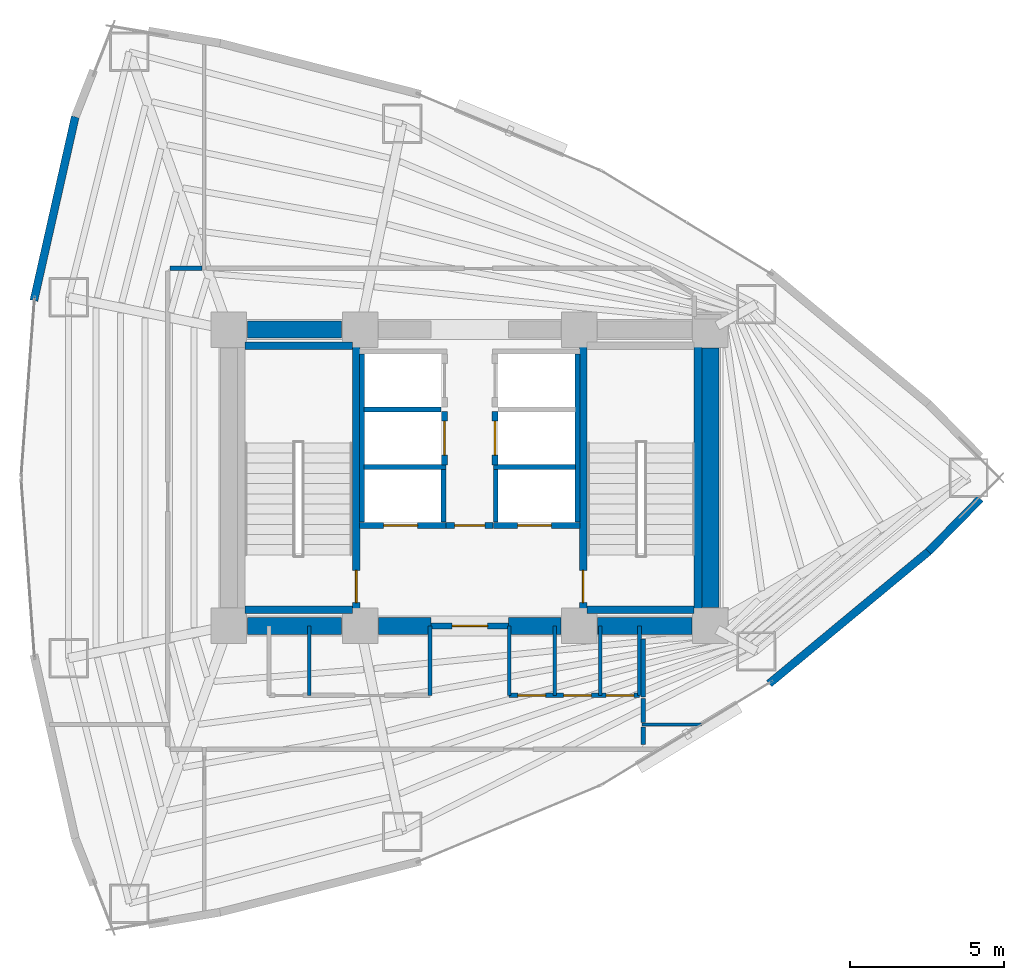
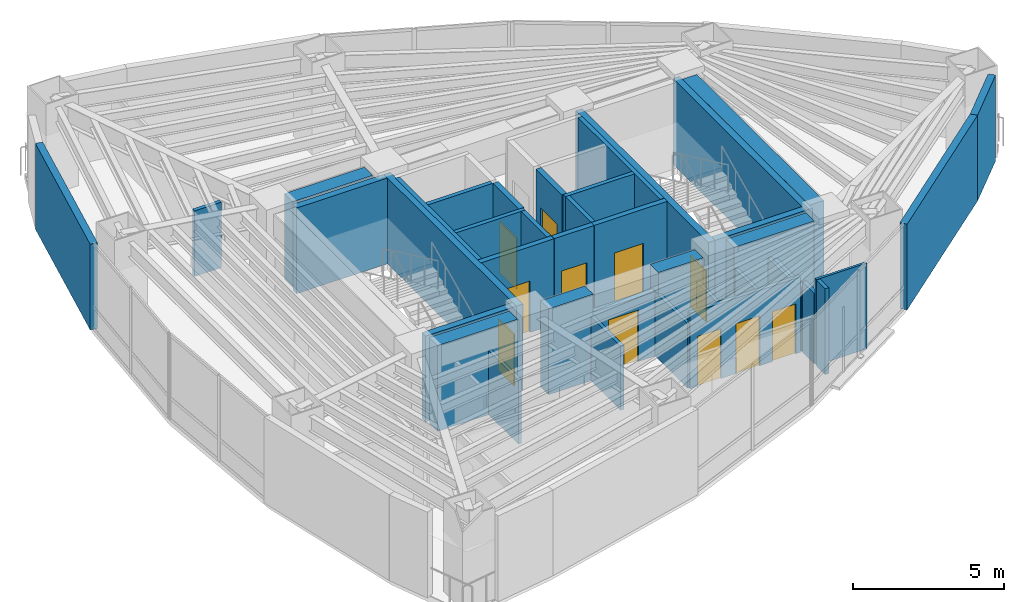
# One storey, part 15 of 18: 40 walls, 11 doors, 11 openings.
"""IFC4 building model written with IfcOpenShell, lengths in metres."""

from ifc_helpers import new_model, si_unit, direction, frame, frame_2d, origin, place, context, subcontext, project, spatial, rectangle, extrude, material, layer, layer_set, type_object, element, fill, save


model = new_model("IFC4")

# Units and contexts
model_context = context("Model", 3, precision=1e-05, world=origin(), true_north=direction((0.0, 1.0)))
body_context = subcontext(model_context, "Body", "Model", "MODEL_VIEW")
ifc_project = project(units=[si_unit("LENGTHUNIT", "METRE"), si_unit("AREAUNIT", "SQUARE_METRE"), si_unit("VOLUMEUNIT", "CUBIC_METRE"), si_unit("PLANEANGLEUNIT", "RADIAN"), si_unit("MASSUNIT", "GRAM", prefix="KILO")], contexts=[model_context])

# Site, building, storey
site_placement = place(None, origin())
site = spatial("IfcSite", under=ifc_project, at=site_placement, CompositionType="ELEMENT")
building_placement = place(site_placement, origin())
building = spatial("IfcBuilding", under=site, at=building_placement, Name="Menara Vayukalpa", CompositionType="ELEMENT")
storey_placement = place(building_placement, frame((0.0, 0.0, 96.5400390625)))
storey = spatial("IfcBuildingStorey", under=building, at=storey_placement, Name="L23", CompositionType="ELEMENT", Elevation=96.5400390625)

# Walls
ifc_material_1 = material(Name="Concrete C60/75", Category="concrete")
ifc_layer_1 = layer(ifc_material_1, 0.550048828125)
ifc_layer_set_1 = layer_set([ifc_layer_1], Name="Concrete C60/75")
wall_type_1 = type_object("IfcWallType", Name="WAL-CW550", PredefinedType="SHEAR", material=ifc_layer_set_1)
wall_1_placement = place(storey_placement, frame((18.39501953125, 17.199951171875, 0.0), z_axis=(0.0, 0.0, 1.0), x_axis=(1.0, 0.0, 0.0)))
element("IfcWall", 1, at=wall_1_placement, inside=storey, type_object=wall_type_1, Name="L23 Buttressed Core Shear Wall CWS1", PredefinedType="SHEAR", context=body_context, shape_type="SweptSolid", body=[
    extrude(rectangle(XDim=3.06005859375, YDim=0.550048828125, at=frame_2d((1.530029296875, 0.0))), origin(), (0.0, 0.0, 1.0), 3.469970703125),
])
wall_2_placement = place(storey_placement, frame((22.64501953125, 17.199951171875, 0.0), z_axis=(0.0, 0.0, 1.0), x_axis=(1.0, 0.0, 0.0)))
element("IfcWall", 2, at=wall_2_placement, inside=storey, type_object=wall_type_1, Name="L23 Buttressed Core Shear Wall CWS2", PredefinedType="SHEAR", context=body_context, shape_type="SweptSolid", body=[
    extrude(rectangle(XDim=1.705078125, YDim=0.550048828125, at=frame_2d((0.8525390625, 0.0))), origin(), (0.0, 0.0, 1.0), 3.469970703125),
])
wall_3_placement = place(storey_placement, frame((26.85009765625, 17.199951171875, 0.0), z_axis=(0.0, 0.0, 1.0), x_axis=(1.0, 0.0, 0.0)))
element("IfcWall", 3, at=wall_3_placement, inside=storey, type_object=wall_type_1, Name="L23 Buttressed Core Shear Wall CWS3", PredefinedType="SHEAR", context=body_context, shape_type="SweptSolid", body=[
    extrude(rectangle(XDim=1.704833984375, YDim=0.550048828125, at=frame_2d((0.8525390625, 0.0))), origin(), (0.0, 0.0, 1.0), 3.469970703125),
])
wall_4_placement = place(storey_placement, frame((29.7451171875, 17.199951171875, 0.0), z_axis=(0.0, 0.0, 1.0), x_axis=(1.0, 0.0, 0.0)))
element("IfcWall", 4, at=wall_4_placement, inside=storey, type_object=wall_type_1, Name="L23 Buttressed Core Shear Wall CWS4", PredefinedType="SHEAR", context=body_context, shape_type="SweptSolid", body=[
    extrude(rectangle(XDim=3.059814453125, YDim=0.550048828125, at=frame_2d((1.52978515625, 0.0))), origin(), (0.0, 0.0, 1.0), 3.469970703125),
])
wall_5_placement = place(storey_placement, frame((18.39501953125, 26.800048828125, 0.0), z_axis=(0.0, 0.0, 1.0), x_axis=(1.0, 0.0, 0.0)))
element("IfcWall", 5, at=wall_5_placement, inside=storey, type_object=wall_type_1, Name="L23 Buttressed Core Shear Wall CWN1", PredefinedType="SHEAR", context=body_context, shape_type="SweptSolid", body=[
    extrude(rectangle(XDim=3.06005859375, YDim=0.550048828125, at=frame_2d((1.530029296875, 0.0))), origin(), (0.0, 0.0, 1.0), 3.469970703125),
])
wall_6_placement = place(storey_placement, frame((33.39990234375, 17.794921875, 0.0), z_axis=(0.0, 0.0, 1.0), x_axis=(0.0, 1.0, 0.0)))
element("IfcWall", 6, at=wall_6_placement, inside=storey, type_object=wall_type_1, Name="L23 Buttressed Core Shear Wall CWE1", PredefinedType="SHEAR", context=body_context, shape_type="SweptSolid", body=[
    extrude(rectangle(XDim=8.41015625, YDim=0.550048828125, at=frame_2d((4.205078125, 0.0))), origin(), (0.0, 0.0, 1.0), 3.469970703125),
])
ifc_material_2 = material(Name="Insulated Precast Concrete C40/50", Category="concrete")
ifc_layer_2 = layer(ifc_material_2, 0.260009765625)
ifc_layer_set_2 = layer_set([ifc_layer_2], Name="Insulated Precast Concrete C40/50")
wall_type_2 = type_object("IfcWallType", Name="WAL-EXT260", PredefinedType="PARTITIONING", material=ifc_layer_set_2)
wall_7_placement = place(storey_placement, frame((42.14111328125, 21.316650390625, 0.0), z_axis=(0.0, 0.0, 1.0), x_axis=(-0.700603293449, -0.713550996922, 0.0)))
element("IfcWall", 7, at=wall_7_placement, inside=storey, type_object=wall_type_2, Name="L23 Perimeter Terracotta Pier Wall 01", PredefinedType="PARTITIONING", context=body_context, shape_type="SweptSolid", body=[
    extrude(rectangle(XDim=2.394775390625, YDim=0.260009765625, at=frame_2d((1.197265625, 0.0))), origin(), (0.0, 0.0, 1.0), 3.469970703125),
])
wall_8_placement = place(storey_placement, frame((11.482421875, 27.73828125, 0.0), z_axis=(0.0, 0.0, 1.0), x_axis=(0.219535044336, 0.975604614743, 0.0)))
element("IfcWall", 8, at=wall_8_placement, inside=storey, type_object=wall_type_2, Name="L23 Perimeter Terracotta Pier Wall 09", PredefinedType="PARTITIONING", context=body_context, shape_type="SweptSolid", body=[
    extrude(rectangle(XDim=6.10205078125, YDim=0.260009765625, at=frame_2d((3.051025390625, 0.0))), origin(), (0.0, 0.0, 1.0), 3.469970703125),
])
wall_9_placement = place(storey_placement, frame((40.472412109375, 19.6162109375, 0.0), z_axis=(0.0, 0.0, 1.0), x_axis=(-0.76975316947, -0.638341646841, 0.0)))
element("IfcWall", 9, at=wall_9_placement, inside=storey, type_object=wall_type_2, Name="L23 Perimeter Terracotta Pier Wall 18", PredefinedType="PARTITIONING", context=body_context, shape_type="SweptSolid", body=[
    extrude(rectangle(XDim=6.718017578125, YDim=0.260009765625, at=frame_2d((3.35888671875, 0.0))), origin(), (0.0, 0.0, 1.0), 3.469970703125),
])
ifc_material_3 = material(Name="Lightweight Concrete Blockwork C16/20", Category="masonry")
ifc_layer_3 = layer(ifc_material_3, 0.159912109375)
ifc_layer_set_3 = layer_set([ifc_layer_3], Name="Lightweight Concrete Blockwork C16/20")
wall_type_3 = type_object("IfcWallType", Name="WAL-FR150", PredefinedType="PARTITIONING", material=ifc_layer_set_3)
wall_10_placement = place(storey_placement, frame((22.10498046875, 20.56005859375, 0.0), z_axis=(0.0, 0.0, 1.0), x_axis=(0.0, 1.0, 0.0)))
element("IfcWall", 10, at=wall_10_placement, inside=storey, type_object=wall_type_3, Name="L23 Interior Partition IW-L23-SHW-WW", PredefinedType="PARTITIONING", context=body_context, shape_type="SweptSolid", body=[
    extrude(rectangle(XDim=5.449951171875, YDim=0.159912109375, at=frame_2d((2.72509765625, 0.0))), origin(), (0.0, 0.0, 1.0), 3.469970703125),
])
wall_11_placement = place(storey_placement, frame((24.7548828125, 20.56005859375, 0.0), z_axis=(0.0, 0.0, 1.0), x_axis=(0.0, 1.0, 0.0)))
element("IfcWall", 11, at=wall_11_placement, inside=storey, type_object=wall_type_3, Name="L23 Interior Partition IW-L23-SHW-W1E", PredefinedType="PARTITIONING", context=body_context, shape_type="SweptSolid", body=[
    extrude(rectangle(XDim=1.7099609375, YDim=0.159912109375, at=frame_2d((0.85498046875, 0.0))), origin(), (0.0, 0.0, 1.0), 3.469970703125),
])
wall_12_placement = place(storey_placement, frame((22.179931640625, 22.344970703125, 0.0), z_axis=(0.0, 0.0, 1.0), x_axis=(1.0, 0.0, 0.0)))
element("IfcWall", 12, at=wall_12_placement, inside=storey, type_object=wall_type_3, Name="L23 Interior Partition IW-L23-SHM-W12", PredefinedType="PARTITIONING", context=body_context, shape_type="SweptSolid", body=[
    extrude(rectangle(XDim=2.650146484375, YDim=0.159912109375, at=frame_2d((1.3251953125, 0.0))), origin(), (0.0, 0.0, 1.0), 3.469970703125),
])
wall_13_placement = place(storey_placement, frame((22.179931640625, 24.215087890625, 0.0), z_axis=(0.0, 0.0, 1.0), x_axis=(1.0, 0.0, 0.0)))
element("IfcWall", 13, at=wall_13_placement, inside=storey, type_object=wall_type_3, Name="L23 Interior Partition IW-L23-SHM-W23", PredefinedType="PARTITIONING", context=body_context, shape_type="SweptSolid", body=[
    extrude(rectangle(XDim=2.489990234375, YDim=0.159912109375, at=frame_2d((1.2451171875, 0.0))), origin(), (0.0, 0.0, 1.0), 3.469970703125),
])
wall_14_placement = place(storey_placement, frame((29.094970703125, 20.56005859375, 0.0), z_axis=(0.0, 0.0, 1.0), x_axis=(0.0, 1.0, 0.0)))
element("IfcWall", 14, at=wall_14_placement, inside=storey, type_object=wall_type_3, Name="L23 Interior Partition IW-L23-SHW-EE", PredefinedType="PARTITIONING", context=body_context, shape_type="SweptSolid", body=[
    extrude(rectangle(XDim=5.449951171875, YDim=0.159912109375, at=frame_2d((2.72509765625, 0.0))), origin(), (0.0, 0.0, 1.0), 3.469970703125),
])
wall_15_placement = place(storey_placement, frame((26.445068359375, 20.56005859375, 0.0), z_axis=(0.0, 0.0, 1.0), x_axis=(0.0, 1.0, 0.0)))
element("IfcWall", 15, at=wall_15_placement, inside=storey, type_object=wall_type_3, Name="L23 Interior Partition IW-L23-SHW-E1W", PredefinedType="PARTITIONING", context=body_context, shape_type="SweptSolid", body=[
    extrude(rectangle(XDim=1.7099609375, YDim=0.159912109375, at=frame_2d((0.85498046875, 0.0))), origin(), (0.0, 0.0, 1.0), 3.469970703125),
])
wall_16_placement = place(storey_placement, frame((26.3701171875, 22.344970703125, 0.0), z_axis=(0.0, 0.0, 1.0), x_axis=(1.0, 0.0, 0.0)))
element("IfcWall", 16, at=wall_16_placement, inside=storey, type_object=wall_type_3, Name="L23 Interior Partition IW-L23-SHM-E13", PredefinedType="PARTITIONING", context=body_context, shape_type="SweptSolid", body=[
    extrude(rectangle(XDim=2.64990234375, YDim=0.159912109375, at=frame_2d((1.324951171875, 0.0))), origin(), (0.0, 0.0, 1.0), 3.469970703125),
])

# Wall, opening, door
ifc_material_4 = material(Name="Lightweight Concrete Blockwork C16/20", Category="masonry")
ifc_layer_4 = layer(ifc_material_4, 0.199951171875)
ifc_layer_set_4 = layer_set([ifc_layer_4], Name="Lightweight Concrete Blockwork C16/20")
wall_type_4 = type_object("IfcWallType", Name="WAL-FR200", PredefinedType="PARTITIONING", material=ifc_layer_set_4)
wall_17_placement = place(storey_placement, frame((24.35009765625, 17.199951171875, 0.0), z_axis=(0.0, 0.0, 1.0), x_axis=(1.0, 0.0, 0.0)))
wall_17 = element("IfcWall", 17, at=wall_17_placement, inside=storey, type_object=wall_type_4, Name="L23 Interior Partition IW-L23-FFLS", PredefinedType="PARTITIONING", context=body_context, shape_type="SweptSolid", body=[
    extrude(rectangle(XDim=2.5, YDim=0.199951171875, at=frame_2d((1.25, 0.0))), origin(), (0.0, 0.0, 1.0), 2.599853515625),
])
opening_1_placement = place(wall_17_placement, frame((0.679931640625, 0.0, 0.0)))
opening_1 = element("IfcOpeningElement", 18, at=opening_1_placement, cuts=wall_17, Name="Opening ID2", PredefinedType="OPENING", context=body_context, shape_type="SweptSolid", body=[
    extrude(rectangle(XDim=1.14990234375, YDim=2.080078125, at=frame_2d((0.574951171875, 1.0400390625))), frame((0.0, 0.10986328125, 0.0), z_axis=(0.0, -1.0, 0.0), x_axis=(1.0, 0.0, 0.0)), (0.0, 0.0, 1.0), 0.219970703125),
])
ifc_material_5 = material(Name="Fire-Rated Powder-Coated Steel Door", Category="steel")
door_type_1 = type_object("IfcDoorType", Name="DR-FD60W", OperationType="NOTDEFINED", PredefinedType="DOOR", material=ifc_material_5)
door_1_placement = place(opening_1_placement, origin())
door_1 = element("IfcDoor", 19, at=door_1_placement, inside=storey, type_object=door_type_1, Name="L23 Interior Door DR-L23-FFLS", OperationType="SINGLE_SWING_LEFT", OverallHeight=2.080078125, OverallWidth=1.14990234375, PredefinedType="DOOR", context=body_context, shape_type="SweptSolid", body=[
    extrude(rectangle(XDim=1.14990234375, YDim=2.080078125, at=frame_2d((0.574951171875, 1.0400390625))), frame((0.0, 0.02490234375, 0.0), z_axis=(0.0, -1.0, 0.0), x_axis=(1.0, 0.0, 0.0)), (0.0, 0.0, 1.0), 0.050048828125),
])
fill(opening_1, door_1)

wall_18_placement = place(storey_placement, frame((24.840087890625, 20.449951171875, 0.0), z_axis=(0.0, 0.0, 1.0), x_axis=(1.0, 0.0, 0.0)))
wall_18 = element("IfcWall", 20, at=wall_18_placement, inside=storey, type_object=wall_type_4, Name="L23 Interior Partition IW-L23-FFLN", PredefinedType="PARTITIONING", context=body_context, shape_type="SweptSolid", body=[
    extrude(rectangle(XDim=1.52001953125, YDim=0.199951171875, at=frame_2d((0.760009765625, 0.0))), origin(), (0.0, 0.0, 1.0), 3.469970703125),
])
opening_2_placement = place(wall_18_placement, frame((0.27001953125, 0.0, 0.0)))
opening_2 = element("IfcOpeningElement", 21, at=opening_2_placement, cuts=wall_18, Name="Opening ID3", PredefinedType="OPENING", context=body_context, shape_type="SweptSolid", body=[
    extrude(rectangle(XDim=0.97998046875, YDim=2.06005859375, at=frame_2d((0.489990234375, 1.030029296875))), frame((0.0, 0.10986328125, 0.0), z_axis=(0.0, -1.0, 0.0), x_axis=(1.0, 0.0, 0.0)), (0.0, 0.0, 1.0), 0.219970703125),
])
ifc_material_6 = material(Name="Fire-Rated Powder-Coated Steel Door", Category="steel")
door_type_2 = type_object("IfcDoorType", Name="DR-FD60", OperationType="NOTDEFINED", PredefinedType="DOOR", material=ifc_material_6)
door_2_placement = place(opening_2_placement, origin())
door_2 = element("IfcDoor", 22, at=door_2_placement, inside=storey, type_object=door_type_2, Name="L23 Interior Door DR-L23-FFLN", OperationType="SINGLE_SWING_RIGHT", OverallHeight=2.06005859375, OverallWidth=0.97998046875, PredefinedType="DOOR", context=body_context, shape_type="SweptSolid", body=[
    extrude(rectangle(XDim=0.97998046875, YDim=2.06005859375, at=frame_2d((0.489990234375, 1.030029296875))), frame((0.0, 0.02490234375, 0.0), z_axis=(0.0, -1.0, 0.0), x_axis=(1.0, 0.0, 0.0)), (0.0, 0.0, 1.0), 0.050048828125),
])
fill(opening_2, door_2)

wall_19_placement = place(storey_placement, frame((22.030029296875, 20.449951171875, 0.0), z_axis=(0.0, 0.0, 1.0), x_axis=(1.0, 0.0, 0.0)))
wall_19 = element("IfcWall", 23, at=wall_19_placement, inside=storey, type_object=wall_type_4, Name="L23 Interior Partition IW-L23-SH-W1", PredefinedType="PARTITIONING", context=body_context, shape_type="SweptSolid", body=[
    extrude(rectangle(XDim=2.800048828125, YDim=0.199951171875, at=frame_2d((1.39990234375, 0.0))), origin(), (0.0, 0.0, 1.0), 3.469970703125),
])
opening_3_placement = place(wall_19_placement, frame((0.780029296875, 0.0, 0.0)))
opening_3 = element("IfcOpeningElement", 24, at=opening_3_placement, cuts=wall_19, Name="Opening LD1", PredefinedType="OPENING", context=body_context, shape_type="SweptSolid", body=[
    extrude(rectangle(XDim=1.10009765625, YDim=2.080078125, at=frame_2d((0.550048828125, 1.0400390625))), frame((0.0, 0.10986328125, 0.0), z_axis=(0.0, -1.0, 0.0), x_axis=(1.0, 0.0, 0.0)), (0.0, 0.0, 1.0), 0.219970703125),
])
ifc_material_7 = material(Name="Brushed Stainless Steel 316 Lift Door", Category="steel")
door_type_3 = type_object("IfcDoorType", Name="DR-LD110", OperationType="NOTDEFINED", PredefinedType="DOOR", material=ifc_material_7)
door_3_placement = place(opening_3_placement, origin())
door_3 = element("IfcDoor", 25, at=door_3_placement, inside=storey, type_object=door_type_3, Name="L23 Interior Door DR-L23-LD-W1", OperationType="DOUBLE_DOOR_SLIDING", OverallHeight=2.080078125, OverallWidth=1.10009765625, PredefinedType="DOOR", context=body_context, shape_type="SweptSolid", body=[
    extrude(rectangle(XDim=1.10009765625, YDim=2.080078125, at=frame_2d((0.550048828125, 1.0400390625))), frame((0.0, 0.02490234375, 0.0), z_axis=(0.0, -1.0, 0.0), x_axis=(1.0, 0.0, 0.0)), (0.0, 0.0, 1.0), 0.050048828125),
])
fill(opening_3, door_3)

wall_20_placement = place(storey_placement, frame((26.3701171875, 20.449951171875, 0.0), z_axis=(0.0, 0.0, 1.0), x_axis=(1.0, 0.0, 0.0)))
wall_20 = element("IfcWall", 26, at=wall_20_placement, inside=storey, type_object=wall_type_4, Name="L23 Interior Partition IW-L23-SH-E1", PredefinedType="PARTITIONING", context=body_context, shape_type="SweptSolid", body=[
    extrude(rectangle(XDim=2.7998046875, YDim=0.199951171875, at=frame_2d((1.39990234375, 0.0))), origin(), (0.0, 0.0, 1.0), 3.469970703125),
])
opening_4_placement = place(wall_20_placement, frame((0.780029296875, 0.0, 0.0)))
opening_4 = element("IfcOpeningElement", 27, at=opening_4_placement, cuts=wall_20, Name="Opening LD1", PredefinedType="OPENING", context=body_context, shape_type="SweptSolid", body=[
    extrude(rectangle(XDim=1.10009765625, YDim=2.080078125, at=frame_2d((0.550048828125, 1.0400390625))), frame((0.0, 0.10986328125, 0.0), z_axis=(0.0, -1.0, 0.0), x_axis=(1.0, 0.0, 0.0)), (0.0, 0.0, 1.0), 0.219970703125),
])
door_4_placement = place(opening_4_placement, origin())
door_4 = element("IfcDoor", 28, at=door_4_placement, inside=storey, type_object=door_type_3, Name="L23 Interior Door DR-L23-LD-E1", OperationType="DOUBLE_DOOR_SLIDING", OverallHeight=2.080078125, OverallWidth=1.10009765625, PredefinedType="DOOR", context=body_context, shape_type="SweptSolid", body=[
    extrude(rectangle(XDim=1.10009765625, YDim=2.080078125, at=frame_2d((0.550048828125, 1.0400390625))), frame((0.0, 0.02490234375, 0.0), z_axis=(0.0, -1.0, 0.0), x_axis=(1.0, 0.0, 0.0)), (0.0, 0.0, 1.0), 0.050048828125),
])
fill(opening_4, door_4)

wall_21_placement = place(storey_placement, frame((24.780029296875, 22.419921875, 0.0), z_axis=(0.0, 0.0, 1.0), x_axis=(0.0, 1.0, 0.0)))
wall_21 = element("IfcWall", 29, at=wall_21_placement, inside=storey, type_object=wall_type_4, Name="L23 Interior Partition IW-L23-SH-W2", PredefinedType="PARTITIONING", context=body_context, shape_type="SweptSolid", body=[
    extrude(rectangle(XDim=1.719970703125, YDim=0.199951171875, at=frame_2d((0.85986328125, 0.0))), origin(), (0.0, 0.0, 1.0), 3.469970703125),
])
opening_5_placement = place(wall_21_placement, frame((0.31005859375, 0.0, 0.0)))
opening_5 = element("IfcOpeningElement", 30, at=opening_5_placement, cuts=wall_21, Name="Opening LD1", PredefinedType="OPENING", context=body_context, shape_type="SweptSolid", body=[
    extrude(rectangle(XDim=1.10009765625, YDim=2.080078125, at=frame_2d((0.550048828125, 1.0400390625))), frame((0.0, 0.10986328125, 0.0), z_axis=(0.0, -1.0, 0.0), x_axis=(1.0, 0.0, 0.0)), (0.0, 0.0, 1.0), 0.219970703125),
])
door_5_placement = place(opening_5_placement, origin())
door_5 = element("IfcDoor", 31, at=door_5_placement, inside=storey, type_object=door_type_3, Name="L23 Interior Door DR-L23-LD-W2", OperationType="DOUBLE_DOOR_SLIDING", OverallHeight=2.080078125, OverallWidth=1.10009765625, PredefinedType="DOOR", context=body_context, shape_type="SweptSolid", body=[
    extrude(rectangle(XDim=1.10009765625, YDim=2.080078125, at=frame_2d((0.550048828125, 1.0400390625))), frame((0.0, 0.02490234375, 0.0), z_axis=(0.0, -1.0, 0.0), x_axis=(1.0, 0.0, 0.0)), (0.0, 0.0, 1.0), 0.050048828125),
])
fill(opening_5, door_5)

wall_22_placement = place(storey_placement, frame((26.419921875, 22.419921875, 0.0), z_axis=(0.0, 0.0, 1.0), x_axis=(0.0, 1.0, 0.0)))
wall_22 = element("IfcWall", 32, at=wall_22_placement, inside=storey, type_object=wall_type_4, Name="L23 Interior Partition IW-L23-SH-E3", PredefinedType="PARTITIONING", context=body_context, shape_type="SweptSolid", body=[
    extrude(rectangle(XDim=1.719970703125, YDim=0.199951171875, at=frame_2d((0.85986328125, 0.0))), origin(), (0.0, 0.0, 1.0), 3.469970703125),
])
opening_6_placement = place(wall_22_placement, frame((0.31005859375, 0.0, 0.0)))
opening_6 = element("IfcOpeningElement", 33, at=opening_6_placement, cuts=wall_22, Name="Opening LD1", PredefinedType="OPENING", context=body_context, shape_type="SweptSolid", body=[
    extrude(rectangle(XDim=1.10009765625, YDim=2.080078125, at=frame_2d((0.550048828125, 1.0400390625))), frame((0.0, 0.10986328125, 0.0), z_axis=(0.0, -1.0, 0.0), x_axis=(1.0, 0.0, 0.0)), (0.0, 0.0, 1.0), 0.219970703125),
])
door_6_placement = place(opening_6_placement, origin())
door_6 = element("IfcDoor", 34, at=door_6_placement, inside=storey, type_object=door_type_3, Name="L23 Interior Door DR-L23-LD-E3", OperationType="DOUBLE_DOOR_SLIDING", OverallHeight=2.080078125, OverallWidth=1.10009765625, PredefinedType="DOOR", context=body_context, shape_type="SweptSolid", body=[
    extrude(rectangle(XDim=1.10009765625, YDim=2.080078125, at=frame_2d((0.550048828125, 1.0400390625))), frame((0.0, 0.02490234375, 0.0), z_axis=(0.0, -1.0, 0.0), x_axis=(1.0, 0.0, 0.0)), (0.0, 0.0, 1.0), 0.050048828125),
])
fill(opening_6, door_6)

# Walls
ifc_material_8 = material(Name="Glazed Demountable Office Partition", Category="glass")
ifc_layer_5 = layer(ifc_material_8, 0.094970703125)
ifc_layer_set_5 = layer_set([ifc_layer_5], Name="Glazed Demountable Office Partition")
wall_type_5 = type_object("IfcWallType", Name="WAL-PT100", PredefinedType="PARTITIONING", material=ifc_layer_set_5)
wall_23_placement = place(storey_placement, frame((31.179931640625, 14.0, 0.0), z_axis=(0.0, 0.0, 1.0), x_axis=(1.0, 0.0, 0.0)))
element("IfcWall", 35, at=wall_23_placement, inside=storey, type_object=wall_type_5, Name="L23 Interior Partition IW-L23-RDIV04", PredefinedType="PARTITIONING", context=body_context, shape_type="SweptSolid", body=[
    extrude(rectangle(XDim=1.923828125, YDim=0.094970703125, at=frame_2d((0.9619140625, 0.0))), origin(), (0.0, 0.0, 1.0), 3.469970703125),
])
ifc_material_9 = material(Name="Acoustic Mineral Stud Partition", Category="masonry")
ifc_layer_6 = layer(ifc_material_9, 0.110107421875)
ifc_layer_set_6 = layer_set([ifc_layer_6], Name="Acoustic Mineral Stud Partition")
wall_type_6 = type_object("IfcWallType", Name="WAL-PT110", PredefinedType="PARTITIONING", material=ifc_layer_set_6)
for number, where, z_axis, x_axis, name in (
    (36, (20.39990234375, 14.949951171875, 0.0), (0.0, 0.0, 1.0), (0.0, 1.0, 0.0), "L23 Interior Partition IW-L23-SVCD-02"),
    (37, (28.35009765625, 14.949951171875, 0.0), (0.0, 0.0, 1.0), (0.0, 1.0, 0.0), "L23 Interior Partition IW-L23-SVCD-05"),
):
    element("IfcWall", number, at=place(storey_placement, frame(where, z_axis=z_axis, x_axis=x_axis)), inside=storey, type_object=wall_type_6, Name=name, PredefinedType="PARTITIONING", context=body_context, shape_type="SweptSolid", body=[
        extrude(rectangle(XDim=2.25, YDim=0.110107421875, at=frame_2d((1.125, 0.0))), origin(), (0.0, 0.0, 1.0), 2.599853515625),
    ])
ifc_material_10 = material(Name="Gypsum Drywall Steel Stud Assembly", Category="steel")
ifc_layer_7 = layer(ifc_material_10, 0.125)
ifc_layer_set_7 = layer_set([ifc_layer_7], Name="Gypsum Drywall Steel Stud Assembly")
wall_type_7 = type_object("IfcWallType", Name="WAL-PT125", PredefinedType="PARTITIONING", material=ifc_layer_set_7)
for number, where, z_axis, x_axis, name in (
    (38, (24.320068359375, 14.949951171875, 0.0), (0.0, 0.0, 1.0), (0.0, 1.0, 0.0), "L23 Interior Partition IW-L23-SVCD-03"),
    (39, (26.8798828125, 14.949951171875, 0.0), (0.0, 0.0, 1.0), (0.0, 1.0, 0.0), "L23 Interior Partition IW-L23-SVCD-04"),
    (40, (29.830078125, 14.949951171875, 0.0), (0.0, 0.0, 1.0), (0.0, 1.0, 0.0), "L23 Interior Partition IW-L23-SVCD-06"),
    (41, (31.10009765625, 14.949951171875, 0.0), (0.0, 0.0, 1.0), (0.0, 1.0, 0.0), "L23 Interior Partition IW-L23-SVCD-07"),
):
    element("IfcWall", number, at=place(storey_placement, frame(where, z_axis=z_axis, x_axis=x_axis)), inside=storey, type_object=wall_type_7, Name=name, PredefinedType="PARTITIONING", context=body_context, shape_type="SweptSolid", body=[
        extrude(rectangle(XDim=2.25, YDim=0.125, at=frame_2d((1.125, 0.0))), origin(), (0.0, 0.0, 1.0), 2.599853515625),
    ])

# Wall, openings, doors
ifc_material_11 = material(Name="Gypsum Drywall Acoustic Stud Assembly", Category="masonry")
ifc_layer_8 = layer(ifc_material_11, 0.14501953125)
ifc_layer_set_8 = layer_set([ifc_layer_8], Name="Gypsum Drywall Acoustic Stud Assembly")
wall_type_8 = type_object("IfcWallType", Name="WAL-PT150", PredefinedType="PARTITIONING", material=ifc_layer_set_8)
wall_24_placement = place(storey_placement, frame((26.8798828125, 14.949951171875, 0.0), z_axis=(0.0, 0.0, 1.0), x_axis=(1.0, 0.0, 0.0)))
wall_24 = element("IfcWall", 42, at=wall_24_placement, inside=storey, type_object=wall_type_8, Name="L23 Interior Partition IW-L23-SVCS-E", PredefinedType="PARTITIONING", context=body_context, shape_type="SweptSolid", body=[
    extrude(rectangle(XDim=4.22021484375, YDim=0.14501953125, at=frame_2d((2.110107421875, 0.0))), origin(), (0.0, 0.0, 1.0), 3.050048828125),
])
opening_7_placement = place(wall_24_placement, frame((0.280029296875, 0.0, 0.0)))
opening_7 = element("IfcOpeningElement", 43, at=opening_7_placement, cuts=wall_24, Name="Opening ID7", PredefinedType="OPENING", context=body_context, shape_type="SweptSolid", body=[
    extrude(rectangle(XDim=0.89990234375, YDim=2.02001953125, at=frame_2d((0.449951171875, 1.010009765625))), frame((0.0, 0.08251953125, 0.0), z_axis=(0.0, -1.0, 0.0), x_axis=(1.0, 0.0, 0.0)), (0.0, 0.0, 1.0), 0.1650390625),
])
opening_8_placement = place(wall_24_placement, frame((1.760009765625, 0.0, 0.0)))
opening_8 = element("IfcOpeningElement", 44, at=opening_8_placement, cuts=wall_24, Name="Opening ID7", PredefinedType="OPENING", context=body_context, shape_type="SweptSolid", body=[
    extrude(rectangle(XDim=0.89990234375, YDim=2.02001953125, at=frame_2d((0.449951171875, 1.010009765625))), frame((0.0, 0.08251953125, 0.0), z_axis=(0.0, -1.0, 0.0), x_axis=(1.0, 0.0, 0.0)), (0.0, 0.0, 1.0), 0.1650390625),
])
opening_9_placement = place(wall_24_placement, frame((3.139892578125, 0.0, 0.0)))
opening_9 = element("IfcOpeningElement", 45, at=opening_9_placement, cuts=wall_24, Name="Opening ID7", PredefinedType="OPENING", context=body_context, shape_type="SweptSolid", body=[
    extrude(rectangle(XDim=0.89990234375, YDim=2.02001953125, at=frame_2d((0.449951171875, 1.010009765625))), frame((0.0, 0.08251953125, 0.0), z_axis=(0.0, -1.0, 0.0), x_axis=(1.0, 0.0, 0.0)), (0.0, 0.0, 1.0), 0.1650390625),
])
ifc_material_12 = material(Name="Powder-Coated Steel Riser Access Door", Category="steel")
door_type_4 = type_object("IfcDoorType", Name="DR-RISER", OperationType="NOTDEFINED", PredefinedType="DOOR", material=ifc_material_12)
door_7_placement = place(opening_7_placement, origin())
door_7 = element("IfcDoor", 46, at=door_7_placement, inside=storey, type_object=door_type_4, Name="L23 Interior Door DR-L23-KSV1", OperationType="SINGLE_SWING_LEFT", OverallHeight=2.02001953125, OverallWidth=0.89990234375, PredefinedType="DOOR", context=body_context, shape_type="SweptSolid", body=[
    extrude(rectangle(XDim=0.89990234375, YDim=2.02001953125, at=frame_2d((0.449951171875, 1.010009765625))), frame((0.0, 0.02490234375, 0.0), z_axis=(0.0, -1.0, 0.0), x_axis=(1.0, 0.0, 0.0)), (0.0, 0.0, 1.0), 0.050048828125),
])
fill(opening_7, door_7)
door_8_placement = place(opening_8_placement, origin())
door_8 = element("IfcDoor", 47, at=door_8_placement, inside=storey, type_object=door_type_4, Name="L23 Interior Door DR-L23-KSV2", OperationType="SINGLE_SWING_RIGHT", OverallHeight=2.02001953125, OverallWidth=0.89990234375, PredefinedType="DOOR", context=body_context, shape_type="SweptSolid", body=[
    extrude(rectangle(XDim=0.89990234375, YDim=2.02001953125, at=frame_2d((0.449951171875, 1.010009765625))), frame((0.0, 0.02490234375, 0.0), z_axis=(0.0, -1.0, 0.0), x_axis=(1.0, 0.0, 0.0)), (0.0, 0.0, 1.0), 0.050048828125),
])
fill(opening_8, door_8)
door_9_placement = place(opening_9_placement, origin())
door_9 = element("IfcDoor", 48, at=door_9_placement, inside=storey, type_object=door_type_4, Name="L23 Interior Door DR-L23-SMD", OperationType="SINGLE_SWING_LEFT", OverallHeight=2.02001953125, OverallWidth=0.89990234375, PredefinedType="DOOR", context=body_context, shape_type="SweptSolid", body=[
    extrude(rectangle(XDim=0.89990234375, YDim=2.02001953125, at=frame_2d((0.449951171875, 1.010009765625))), frame((0.0, 0.02490234375, 0.0), z_axis=(0.0, -1.0, 0.0), x_axis=(1.0, 0.0, 0.0)), (0.0, 0.0, 1.0), 0.050048828125),
])
fill(opening_9, door_9)

# Walls
wall_25_placement = place(storey_placement, frame((31.22998046875, 13.351318359375, 0.0), z_axis=(0.0, 0.0, 1.0), x_axis=(0.0, 1.0, 0.0)))
element("IfcWall", 49, at=wall_25_placement, inside=storey, type_object=wall_type_8, Name="L23 Interior Partition IW-L23-CRM03-2", PredefinedType="PARTITIONING", context=body_context, shape_type="SweptSolid", body=[
    extrude(rectangle(XDim=0.57861328125, YDim=0.14501953125, at=frame_2d((0.289306640625, 0.0))), origin(), (0.0, 0.0, 1.0), 3.469970703125),
])
wall_26_placement = place(storey_placement, frame((31.22998046875, 14.070068359375, 0.0), z_axis=(0.0, 0.0, 1.0), x_axis=(0.0, 1.0, 0.0)))
element("IfcWall", 50, at=wall_26_placement, inside=storey, type_object=wall_type_8, Name="L23 Interior Partition IW-L23-CRM04-1", PredefinedType="PARTITIONING", context=body_context, shape_type="SweptSolid", body=[
    extrude(rectangle(XDim=0.780029296875, YDim=0.14501953125, at=frame_2d((0.39013671875, 0.0))), origin(), (0.0, 0.0, 1.0), 2.849853515625),
])
wall_27_placement = place(storey_placement, frame((31.219970703125, 14.888671875, 0.0), z_axis=(0.0, 0.0, 1.0), x_axis=(0.0, 1.0, 0.0)))
element("IfcWall", 51, at=wall_27_placement, inside=storey, type_object=wall_type_8, Name="L23 Interior Partition IW-L23-CRM04-2", PredefinedType="PARTITIONING", context=body_context, shape_type="SweptSolid", body=[
    extrude(rectangle(XDim=1.891357421875, YDim=0.14501953125, at=frame_2d((0.94580078125, 0.0))), origin(), (0.0, 0.0, 1.0), 2.599853515625),
])
wall_28_placement = place(storey_placement, frame((16.929931640625, 28.780029296875, 0.0), z_axis=(0.0, 0.0, 1.0), x_axis=(-1.0, 0.0, 0.0)))
element("IfcWall", 52, at=wall_28_placement, inside=storey, type_object=wall_type_8, Name="L23 Interior Partition IW-L23-CRM05-1", PredefinedType="PARTITIONING", context=body_context, shape_type="SweptSolid", body=[
    extrude(rectangle(XDim=1.030029296875, YDim=0.14501953125, at=frame_2d((0.51513671875, 0.0))), origin(), (0.0, 0.0, 1.0), 2.64990234375),
])

# Wall, opening, door
ifc_material_13 = material(Name="Concrete C50/60", Category="concrete")
ifc_layer_9 = layer(ifc_material_13, 0.25)
ifc_layer_set_9 = layer_set([ifc_layer_9], Name="Concrete C50/60")
wall_type_9 = type_object("IfcWallType", Name="WAL-SW250", PredefinedType="SHEAR", material=ifc_layer_set_9)
wall_29_placement = place(storey_placement, frame((21.925048828125, 17.60009765625, 0.0), z_axis=(0.0, 0.0, 1.0), x_axis=(0.0, 1.0, 0.0)))
wall_29 = element("IfcWall", 53, at=wall_29_placement, inside=storey, type_object=wall_type_9, Name="L23 ST1 Structural Stair Shaft Wall E", PredefinedType="SHEAR", context=body_context, shape_type="SweptSolid", body=[
    extrude(rectangle(XDim=8.7998046875, YDim=0.25, at=frame_2d((4.39990234375, 0.0))), origin(), (0.0, 0.0, 1.0), 3.469970703125),
])
opening_10_placement = place(wall_29_placement, frame((0.35009765625, 0.0, 0.0)))
opening_10 = element("IfcOpeningElement", 54, at=opening_10_placement, cuts=wall_29, Name="Opening ID1", PredefinedType="OPENING", context=body_context, shape_type="SweptSolid", body=[
    extrude(rectangle(XDim=1.050048828125, YDim=2.080078125, at=frame_2d((0.52490234375, 1.0400390625))), frame((0.0, 0.135009765625, 0.0), z_axis=(0.0, -1.0, 0.0), x_axis=(1.0, 0.0, 0.0)), (0.0, 0.0, 1.0), 0.27001953125),
])
ifc_material_14 = material(Name="Fire-Rated Powder-Coated Steel Door", Category="steel")
door_type_5 = type_object("IfcDoorType", Name="DR-FD120", OperationType="NOTDEFINED", PredefinedType="DOOR", material=ifc_material_14)
door_10_placement = place(opening_10_placement, origin())
door_10 = element("IfcDoor", 55, at=door_10_placement, inside=storey, type_object=door_type_5, Name="L23 Stair Exit Door DR-L23-ST1", OperationType="SINGLE_SWING_LEFT", OverallHeight=2.080078125, OverallWidth=1.050048828125, PredefinedType="DOOR", context=body_context, shape_type="SweptSolid", body=[
    extrude(rectangle(XDim=1.050048828125, YDim=2.080078125, at=frame_2d((0.52490234375, 1.0400390625))), frame((0.0, 0.02490234375, 0.0), z_axis=(0.0, -1.0, 0.0), x_axis=(1.0, 0.0, 0.0)), (0.0, 0.0, 1.0), 0.050048828125),
])
fill(opening_10, door_10)

# Walls
for number, where, z_axis, x_axis, name in (
    (56, (18.3291015625, 17.72509765625, 0.0), (0.0, 0.0, 1.0), (1.0, 0.0, 0.0), "L23 ST1 Structural Stair Shaft Wall S"),
    (57, (18.3291015625, 26.27490234375, 0.0), (0.0, 0.0, 1.0), (1.0, 0.0, 0.0), "L23 ST1 Structural Stair Shaft Wall N"),
):
    element("IfcWall", number, at=place(storey_placement, frame(where, z_axis=z_axis, x_axis=x_axis)), inside=storey, type_object=wall_type_9, Name=name, PredefinedType="SHEAR", context=body_context, shape_type="SweptSolid", body=[
        extrude(rectangle(XDim=3.470947265625, YDim=0.25, at=frame_2d((1.7353515625, 0.0))), origin(), (0.0, 0.0, 1.0), 3.469970703125),
    ])

# Wall, opening, door
wall_30_placement = place(storey_placement, frame((29.27490234375, 17.60009765625, 0.0), z_axis=(0.0, 0.0, 1.0), x_axis=(0.0, 1.0, 0.0)))
wall_30 = element("IfcWall", 58, at=wall_30_placement, inside=storey, type_object=wall_type_9, Name="L23 ST2 Structural Stair Shaft Wall W", PredefinedType="SHEAR", context=body_context, shape_type="SweptSolid", body=[
    extrude(rectangle(XDim=8.7998046875, YDim=0.25, at=frame_2d((4.39990234375, 0.0))), origin(), (0.0, 0.0, 1.0), 3.469970703125),
])
opening_11_placement = place(wall_30_placement, frame((0.35009765625, 0.0, 0.0)))
opening_11 = element("IfcOpeningElement", 59, at=opening_11_placement, cuts=wall_30, Name="Opening ID1", PredefinedType="OPENING", context=body_context, shape_type="SweptSolid", body=[
    extrude(rectangle(XDim=1.050048828125, YDim=2.080078125, at=frame_2d((0.52490234375, 1.0400390625))), frame((0.0, 0.135009765625, 0.0), z_axis=(0.0, -1.0, 0.0), x_axis=(1.0, 0.0, 0.0)), (0.0, 0.0, 1.0), 0.27001953125),
])
door_11_placement = place(opening_11_placement, origin())
door_11 = element("IfcDoor", 60, at=door_11_placement, inside=storey, type_object=door_type_5, Name="L23 Stair Exit Door DR-L23-ST2", OperationType="SINGLE_SWING_RIGHT", OverallHeight=2.080078125, OverallWidth=1.050048828125, PredefinedType="DOOR", context=body_context, shape_type="SweptSolid", body=[
    extrude(rectangle(XDim=1.050048828125, YDim=2.080078125, at=frame_2d((0.52490234375, 1.0400390625))), frame((0.0, 0.02490234375, 0.0), z_axis=(0.0, -1.0, 0.0), x_axis=(1.0, 0.0, 0.0)), (0.0, 0.0, 1.0), 0.050048828125),
])
fill(opening_11, door_11)

# Walls
wall_31_placement = place(storey_placement, frame((32.99609375, 17.60009765625, 0.0), z_axis=(0.0, 0.0, 1.0), x_axis=(0.0, 1.0, 0.0)))
element("IfcWall", 61, at=wall_31_placement, inside=storey, type_object=wall_type_9, Name="L23 ST2 Structural Stair Shaft Wall E", PredefinedType="SHEAR", context=body_context, shape_type="SweptSolid", body=[
    extrude(rectangle(XDim=8.7998046875, YDim=0.25, at=frame_2d((4.39990234375, 0.0))), origin(), (0.0, 0.0, 1.0), 3.469970703125),
])
wall_32_placement = place(storey_placement, frame((29.39990234375, 17.72509765625, 0.0), z_axis=(0.0, 0.0, 1.0), x_axis=(1.0, 0.0, 0.0)))
element("IfcWall", 62, at=wall_32_placement, inside=storey, type_object=wall_type_9, Name="L23 ST2 Structural Stair Shaft Wall S", PredefinedType="SHEAR", context=body_context, shape_type="SweptSolid", body=[
    extrude(rectangle(XDim=3.47119140625, YDim=0.25, at=frame_2d((1.735595703125, 0.0))), origin(), (0.0, 0.0, 1.0), 3.469970703125),
])

save(model, "model.ifc")
